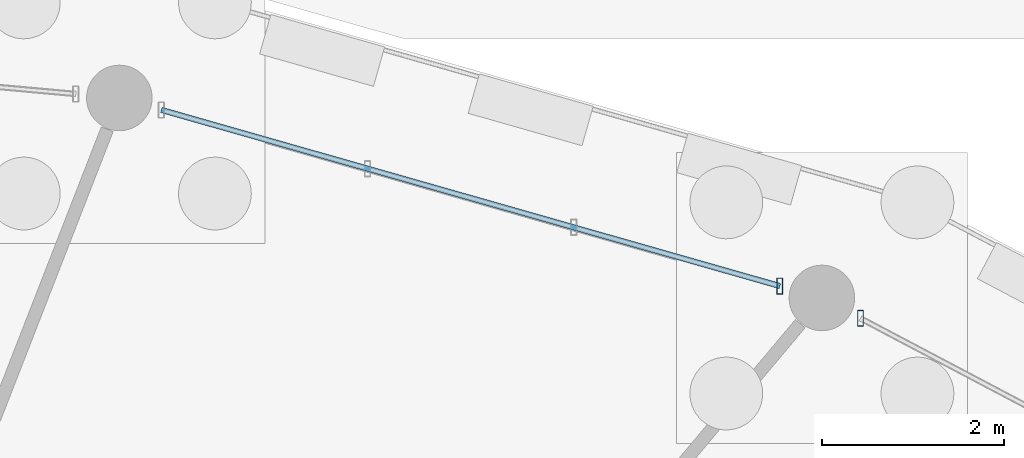
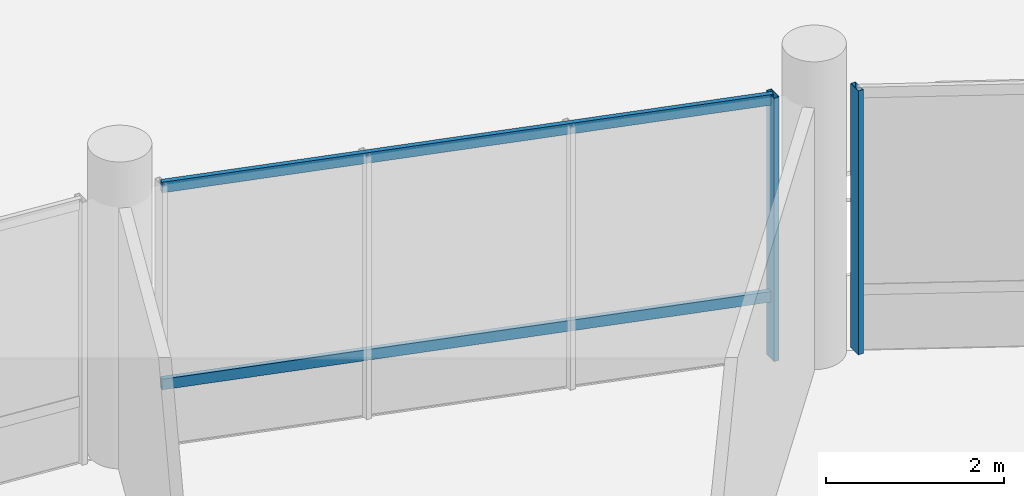
# One storey, part 44 of 98: 4 members, 2 elements without a shape of their own.
"""IFC4 building model written with IfcOpenShell, lengths in metres."""

from ifc_helpers import new_model, si_unit, direction, frame, origin, origin_2d, place, context, subcontext, project, spatial, hollow_rectangle, extrude, material, material_profile, profile_set, type_object, element, aggregate, save


model = new_model("IFC4")

# Units and contexts
model_context = context("Model", 3, precision=1e-05, world=origin(), true_north=direction((0.0, 1.0)))
body_context = subcontext(model_context, "Body", "Model", "MODEL_VIEW")
ifc_project = project(units=[si_unit("LENGTHUNIT", "METRE"), si_unit("AREAUNIT", "SQUARE_METRE"), si_unit("VOLUMEUNIT", "CUBIC_METRE"), si_unit("PLANEANGLEUNIT", "RADIAN"), si_unit("MASSUNIT", "GRAM", prefix="KILO")], contexts=[model_context])

# Site, building, storey
site_placement = place(None, origin())
site = spatial("IfcSite", under=ifc_project, at=site_placement, CompositionType="ELEMENT")
building_placement = place(site_placement, origin())
building = spatial("IfcBuilding", under=site, at=building_placement, Name="Zornivar Specialist Clinic", CompositionType="ELEMENT")
storey_placement = place(building_placement, origin())
storey = spatial("IfcBuildingStorey", under=building, at=storey_placement, Name="L00", CompositionType="ELEMENT", Elevation=0.0)

# Curtain wall, member
ifc_material_1 = material(Name="Aluminium and Low-E Glass Curtain Wall", Category="aluminium")
curtain_wall_type = type_object("IfcCurtainWallType", Name="CW-DRUM-FACET", PredefinedType="NOTDEFINED", material=ifc_material_1)
curtain_wall_1_placement = place(storey_placement, origin())
curtain_wall_1 = element("IfcCurtainWall", 1, at=curtain_wall_1_placement, inside=storey, type_object=curtain_wall_type, Name="cw:V1:L00:c03", PredefinedType="NOTDEFINED")
ifc_material_2 = material(Name="Aluminium AW-6060", Category="aluminium")
ifc_material_profile_1 = material_profile(ifc_material_2, hollow_rectangle(XDim=0.06494140625, YDim=0.175048828125, WallThickness=0.00439453125, at=origin_2d()), Name="ALU 65x175x4.5")
ifc_profile_set_1 = profile_set([ifc_material_profile_1], Name="Aluminium AW-6060")
member_type_1 = type_object("IfcMemberType", Name="CWM-MUL-175", PredefinedType="MULLION", material=ifc_profile_set_1)
member_1_placement = place(storey_placement, frame((110.02392578125, 76.428955078125, 0.0), z_axis=(0.0, 0.0, 1.0), x_axis=(1.0, 0.0, 0.0)))
member_1 = element("IfcMember", 2, at=member_1_placement, type_object=member_type_1, Name="cw:V1:L00:c03:mul:3", PredefinedType="MULLION", context=body_context, shape_type="SweptSolid", body=[
    extrude(hollow_rectangle(XDim=0.06494140625, YDim=0.175048828125, WallThickness=0.00439453125, at=origin_2d()), origin(), (0.0, 0.0, 1.0), 3.610107421875),
])
aggregate(curtain_wall_1, [member_1])

# Curtain wall, members
curtain_wall_2_placement = place(storey_placement, origin())
curtain_wall_2 = element("IfcCurtainWall", 3, at=curtain_wall_2_placement, inside=storey, type_object=curtain_wall_type, Name="cw:V1:L00:c04", PredefinedType="NOTDEFINED")
member_2_placement = place(storey_placement, frame((109.138916015625, 76.783935546875, 0.0), z_axis=(0.0, 0.0, 1.0), x_axis=(1.0, 0.0, 0.0)))
member_2 = element("IfcMember", 4, at=member_2_placement, type_object=member_type_1, Name="cw:V1:L00:c04:mul:0", PredefinedType="MULLION", context=body_context, shape_type="SweptSolid", body=[
    extrude(hollow_rectangle(XDim=0.06494140625, YDim=0.175048828125, WallThickness=0.00439453125, at=origin_2d()), origin(), (0.0, 0.0, 1.0), 3.610107421875),
])
ifc_material_3 = material(Name="Aluminium AW-6060", Category="aluminium")
ifc_material_profile_2 = material_profile(ifc_material_3, hollow_rectangle(XDim=0.06005859375, YDim=0.14501953125, WallThickness=0.00390625, at=origin_2d()), Name="ALU 60x145x4")
ifc_profile_set_2 = profile_set([ifc_material_profile_2], Name="Aluminium AW-6060")
member_type_2 = type_object("IfcMemberType", Name="CWM-TRN-145", PredefinedType="USERDEFINED", material=ifc_profile_set_2)
member_3_placement = place(storey_placement, frame((109.138916015625, 76.783935546875, 0.85009765625), z_axis=(-0.961771283353, 0.27385397298, 0.0), x_axis=(-0.27385397298, -0.961771283353, 0.0)))
member_3 = element("IfcMember", 5, at=member_3_placement, type_object=member_type_2, Name="cw:V1:L00:c04:trn:0", ObjectType="TRANSOM", PredefinedType="USERDEFINED", context=body_context, shape_type="SweptSolid", body=[
    extrude(hollow_rectangle(XDim=0.06005859375, YDim=0.14501953125, WallThickness=0.00390625, at=origin_2d()), origin(), (0.0, 0.0, 1.0), 7.06591796875),
])
member_4_placement = place(storey_placement, frame((109.138916015625, 76.783935546875, 3.544921875), z_axis=(-0.961771283353, 0.27385397298, 0.0), x_axis=(-0.27385397298, -0.961771283353, 0.0)))
member_4 = element("IfcMember", 6, at=member_4_placement, type_object=member_type_2, Name="cw:V1:L00:c04:trn:1", ObjectType="TRANSOM", PredefinedType="USERDEFINED", context=body_context, shape_type="SweptSolid", body=[
    extrude(hollow_rectangle(XDim=0.06005859375, YDim=0.14501953125, WallThickness=0.00390625, at=origin_2d()), origin(), (0.0, 0.0, 1.0), 7.06591796875),
])
aggregate(curtain_wall_2, [member_2, member_3, member_4])

save(model, "model.ifc")
